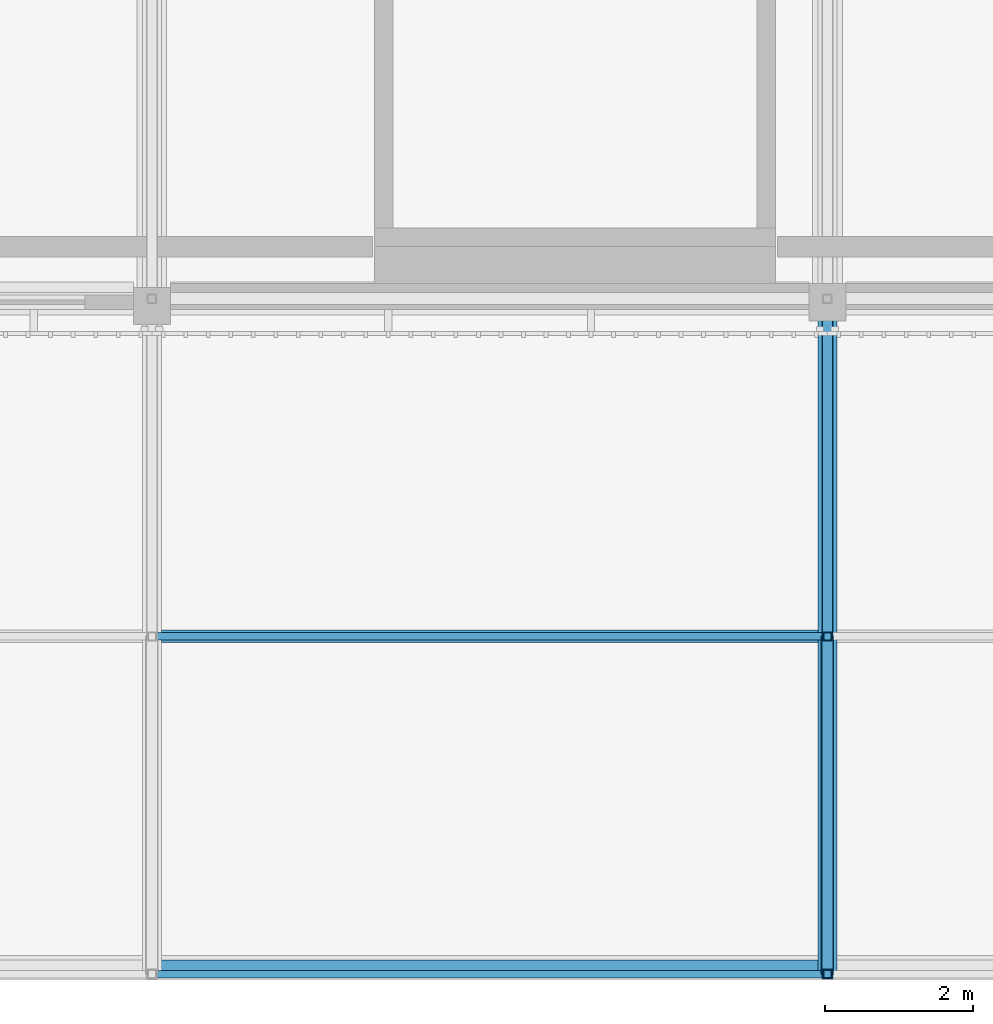
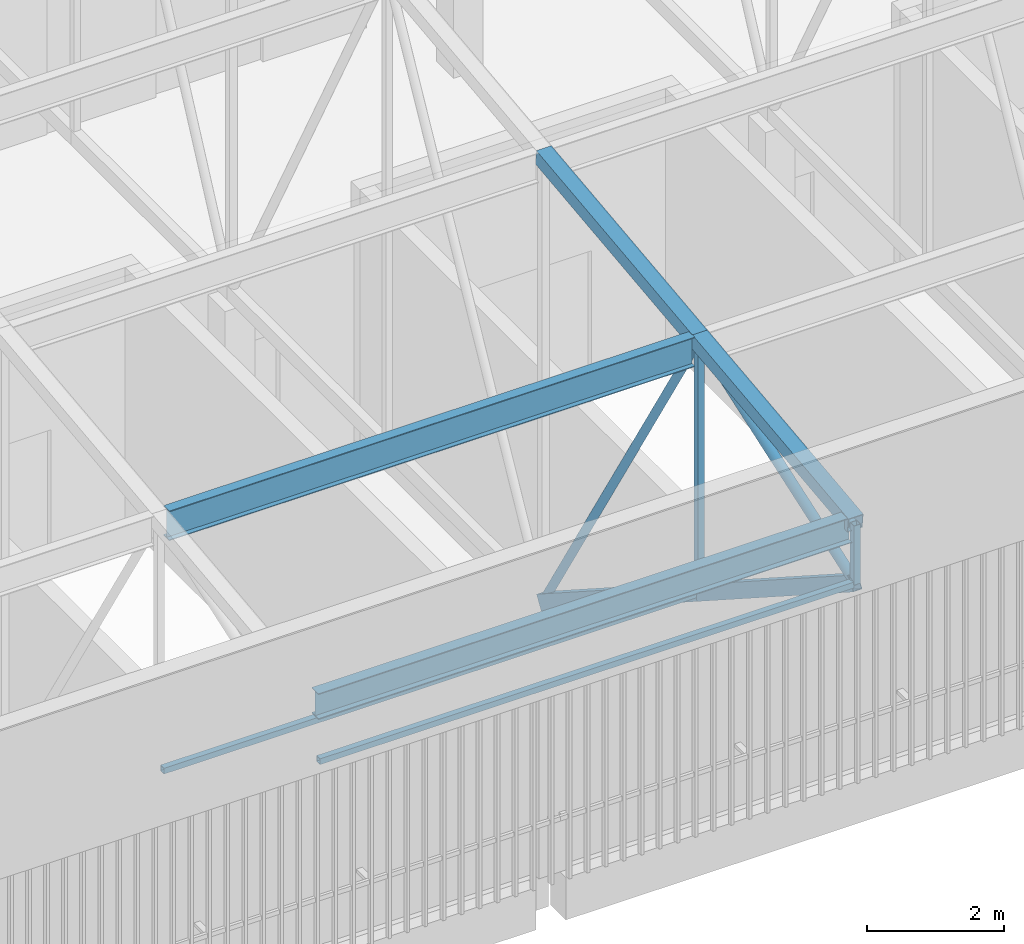
# One storey, part 114 of 500: 12 members.
"""IFC4 building model written with IfcOpenShell, lengths in metres."""

from ifc_helpers import new_model, si_unit, direction, frame, origin, origin_2d, place, context, subcontext, project, spatial, hollow_rectangle, hollow_circle, i_section, extrude, material, material_profile, profile_set, type_object, element, save


model = new_model("IFC4")

# Units and contexts
model_context = context("Model", 3, precision=1e-05, world=origin(), true_north=direction((0.0, 1.0)))
body_context = subcontext(model_context, "Body", "Model", "MODEL_VIEW")
ifc_project = project(units=[si_unit("LENGTHUNIT", "METRE"), si_unit("AREAUNIT", "SQUARE_METRE"), si_unit("VOLUMEUNIT", "CUBIC_METRE"), si_unit("PLANEANGLEUNIT", "RADIAN"), si_unit("MASSUNIT", "GRAM", prefix="KILO")], contexts=[model_context])

# Site, building, storey
site_placement = place(None, origin())
site = spatial("IfcSite", under=ifc_project, at=site_placement, CompositionType="ELEMENT")
building_placement = place(site_placement, origin())
building = spatial("IfcBuilding", under=site, at=building_placement, Name="Shirokan Park Arena", CompositionType="ELEMENT")
storey_placement = place(building_placement, frame((0.0, 0.0, 29.1201171875)))
storey = spatial("IfcBuildingStorey", under=building, at=storey_placement, Name="L06", CompositionType="ELEMENT", Elevation=29.1201171875)

# Members
ifc_material_1 = material(Name="Steel ASTM A500 Grade C", Category="steel")
ifc_material_profile_1 = material_profile(ifc_material_1, hollow_rectangle(XDim=0.152099609375, YDim=0.25390625, WallThickness=0.009521484375, at=origin_2d()), Name="HSS254X152.4X9.5")
ifc_profile_set_1 = profile_set([ifc_material_profile_1], Name="Steel ASTM A500 Grade C")
member_type_1 = type_object("IfcMemberType", Name="Bottom chord HSS254X152.4X9.5", PredefinedType="CHORD", material=ifc_profile_set_1)
for number, where, z_axis, x_axis, name in (
    (1, (118.300048828125, -9.10009765625, 10.531982421875), (0.0, 0.840971691661, -0.541079119746), (-1.0, 0.0, 0.0), "Truss T14 bottom chord 1"),
    (2, (118.300048828125, -4.550048828125, 7.6044921875), (0.0, 0.840971691661, -0.541079119746), (-1.0, 0.0, 0.0), "Truss T14 bottom chord 2"),
):
    element("IfcMember", number, at=place(storey_placement, frame(where, z_axis=z_axis, x_axis=x_axis)), inside=storey, type_object=member_type_1, Name=name, PredefinedType="CHORD", context=body_context, shape_type="SweptSolid", body=[
        extrude(hollow_rectangle(XDim=0.152099609375, YDim=0.25390625, WallThickness=0.009521484375, at=origin_2d()), origin(), (0.0, 0.0, 1.0), 5.410400390625),
    ])
ifc_material_profile_2 = material_profile(ifc_material_1, hollow_rectangle(XDim=0.10205078125, YDim=0.10205078125, WallThickness=0.00634765625, at=origin_2d()), Name="HSS101.6X101.6X6.4")
ifc_profile_set_2 = profile_set([ifc_material_profile_2], Name="Steel ASTM A500 Grade C")
member_type_2 = type_object("IfcMemberType", Name="Eave soffit rail HSS101.6X101.6X6.4", PredefinedType="USERDEFINED", material=ifc_profile_set_2)
for number, where, z_axis, x_axis, name in (
    (3, (109.257080078125, -9.10009765625, 10.531982421875), (1.0, 0.0, 0.0), (0.0, 1.0, 0.0), "Eave soffit rail S 1 bay 13"),
    (4, (109.257080078125, -4.550048828125, 7.6044921875), (1.0, 0.0, 0.0), (0.0, 1.0, 0.0), "Eave soffit rail S 2 bay 13"),
):
    element("IfcMember", number, at=place(storey_placement, frame(where, z_axis=z_axis, x_axis=x_axis)), inside=storey, type_object=member_type_2, Name=name, ObjectType="EAVE SOFFIT RAIL", PredefinedType="USERDEFINED", context=body_context, shape_type="SweptSolid", body=[
        extrude(hollow_rectangle(XDim=0.10205078125, YDim=0.10205078125, WallThickness=0.00634765625, at=origin_2d()), origin(), (0.0, 0.0, 1.0), 8.98583984375),
    ])
ifc_material_2 = material(Name="Steel ASTM A992", Category="steel")
ifc_material_profile_3 = material_profile(ifc_material_2, i_section(OverallWidth=0.166015625, OverallDepth=0.528076171875, WebThickness=0.009765625, FlangeThickness=0.013671875, at=origin_2d()), Name="W530X74")
ifc_profile_set_3 = profile_set([ifc_material_profile_3], Name="Steel ASTM A992")
member_type_3 = type_object("IfcMemberType", Name="Purlin W530X74", PredefinedType="PURLIN", material=ifc_profile_set_3)
member_1_placement = place(storey_placement, frame((109.326904296875, -4.550048828125, 11.9658203125), z_axis=(1.0, 0.0, 0.0), x_axis=(0.0, 1.0, 0.0)))
element("IfcMember", 5, at=member_1_placement, inside=storey, type_object=member_type_3, Name="Purlin 2 bay 13", PredefinedType="PURLIN", context=body_context, shape_type="SweptSolid", body=[
    extrude(i_section(OverallWidth=0.166015625, OverallDepth=0.528076171875, WebThickness=0.009765625, FlangeThickness=0.013671875, at=origin_2d()), origin(), (0.0, 0.0, 1.0), 8.84619140625),
])
ifc_material_profile_4 = material_profile(ifc_material_2, i_section(OverallWidth=0.19091796875, OverallDepth=0.45703125, WebThickness=0.009033203125, FlangeThickness=0.014404296875, at=origin_2d()), Name="W460X74")
ifc_profile_set_4 = profile_set([ifc_material_profile_4], Name="Steel ASTM A992")
member_type_4 = type_object("IfcMemberType", Name="Roof edge beam W460X74", PredefinedType="USERDEFINED", material=ifc_profile_set_4)
member_2_placement = place(storey_placement, frame((109.257080078125, -9.00439453125, 11.4814453125), z_axis=(1.0, 0.0, 0.0), x_axis=(0.0, 1.0, 0.0)))
element("IfcMember", 6, at=member_2_placement, inside=storey, type_object=member_type_4, Name="Roof edge beam S 14", ObjectType="ROOF EDGE BEAM", PredefinedType="USERDEFINED", context=body_context, shape_type="SweptSolid", body=[
    extrude(i_section(OverallWidth=0.19091796875, OverallDepth=0.45703125, WebThickness=0.009033203125, FlangeThickness=0.014404296875, at=origin_2d()), origin(), (0.0, 0.0, 1.0), 8.98583984375),
])
ifc_material_profile_5 = material_profile(ifc_material_1, hollow_rectangle(XDim=0.25390625, YDim=0.25390625, WallThickness=0.009521484375, at=origin_2d()), Name="HSS254X254X9.5")
ifc_profile_set_5 = profile_set([ifc_material_profile_5], Name="Steel ASTM A500 Grade C")
member_type_5 = type_object("IfcMemberType", Name="Top chord HSS254X254X9.5", PredefinedType="CHORD", material=ifc_profile_set_5)
for number, where, z_axis, x_axis, name in (
    (7, (118.300048828125, -9.10009765625, 11.582763671875), (0.0, 0.993532328996, 0.113549598152), (-1.0, 0.0, 0.0), "Truss T14 top chord 1"),
    (8, (118.300048828125, -4.550048828125, 12.102783203125), (0.0, 0.993532328996, 0.113549598152), (-1.0, 0.0, 0.0), "Truss T14 top chord 2"),
):
    element("IfcMember", number, at=place(storey_placement, frame(where, z_axis=z_axis, x_axis=x_axis)), inside=storey, type_object=member_type_5, Name=name, PredefinedType="CHORD", context=body_context, shape_type="SweptSolid", body=[
        extrude(hollow_rectangle(XDim=0.25390625, YDim=0.25390625, WallThickness=0.009521484375, at=origin_2d()), origin(), (0.0, 0.0, 1.0), 4.57958984375),
    ])
ifc_material_profile_6 = material_profile(ifc_material_1, hollow_circle(Radius=0.070556640625, WallThickness=0.006591796875, at=origin_2d()), Name="HSS141.3X6.6")
ifc_profile_set_6 = profile_set([ifc_material_profile_6], Name="Steel ASTM A500 Grade C")
member_type_6 = type_object("IfcMemberType", Name="Truss diagonal HSS141.3X6.6", PredefinedType="BRACE", material=ifc_profile_set_6)
member_3_placement = place(storey_placement, frame((118.300048828125, -4.550048828125, 12.102783203125), z_axis=(0.0, 0.522458847856, -0.852664501605), x_axis=(-1.0, 0.0, 0.0)))
element("IfcMember", 9, at=member_3_placement, inside=storey, type_object=member_type_6, Name="Truss T14 diagonal 2", PredefinedType="BRACE", context=body_context, shape_type="SweptSolid", body=[
    extrude(hollow_circle(Radius=0.070556640625, WallThickness=0.006591796875, at=origin_2d()), origin(), (0.0, 0.0, 1.0), 8.708984375),
])
ifc_material_profile_7 = material_profile(ifc_material_1, hollow_circle(Radius=0.083984375, WallThickness=0.009521484375, at=origin_2d()), Name="HSS168.3X9.5")
ifc_profile_set_7 = profile_set([ifc_material_profile_7], Name="Steel ASTM A500 Grade C")
member_type_7 = type_object("IfcMemberType", Name="Truss diagonal HSS168.3X9.5", PredefinedType="BRACE", material=ifc_profile_set_7)
member_4_placement = place(storey_placement, frame((118.300048828125, -9.10009765625, 10.531982421875), z_axis=(0.0, 0.945256498603, 0.326328288459), x_axis=(-1.0, 0.0, 0.0)))
element("IfcMember", 10, at=member_4_placement, inside=storey, type_object=member_type_7, Name="Truss T14 diagonal 1", PredefinedType="BRACE", context=body_context, shape_type="SweptSolid", body=[
    extrude(hollow_circle(Radius=0.083984375, WallThickness=0.009521484375, at=origin_2d()), origin(), (0.0, 0.0, 1.0), 4.8134765625),
])
ifc_material_profile_8 = material_profile(ifc_material_1, hollow_rectangle(XDim=0.114013671875, YDim=0.114013671875, WallThickness=0.00634765625, at=origin_2d()), Name="HSS114.3X114.3X6.4")
ifc_profile_set_8 = profile_set([ifc_material_profile_8], Name="Steel ASTM A500 Grade C")
member_type_8 = type_object("IfcMemberType", Name="Truss post HSS114.3X114.3X6.4", PredefinedType="POST", material=ifc_profile_set_8)
member_5_placement = place(storey_placement, frame((118.300048828125, -9.10009765625, 10.531982421875), z_axis=(0.0, 0.0, 1.0), x_axis=(1.0, 0.0, 0.0)))
element("IfcMember", 11, at=member_5_placement, inside=storey, type_object=member_type_8, Name="Truss T14 post 1", PredefinedType="POST", context=body_context, shape_type="SweptSolid", body=[
    extrude(hollow_rectangle(XDim=0.114013671875, YDim=0.114013671875, WallThickness=0.00634765625, at=origin_2d()), origin(), (0.0, 0.0, 1.0), 1.05078125),
])
member_6_placement = place(storey_placement, frame((118.300048828125, -4.550048828125, 7.6044921875), z_axis=(0.0, 0.0, 1.0), x_axis=(1.0, 0.0, 0.0)))
element("IfcMember", 12, at=member_6_placement, inside=storey, type_object=member_type_8, Name="Truss T14 post 2", PredefinedType="POST", context=body_context, shape_type="SweptSolid", body=[
    extrude(hollow_rectangle(XDim=0.114013671875, YDim=0.114013671875, WallThickness=0.00634765625, at=origin_2d()), origin(), (0.0, 0.0, 1.0), 4.498291015625),
])

save(model, "model.ifc")
